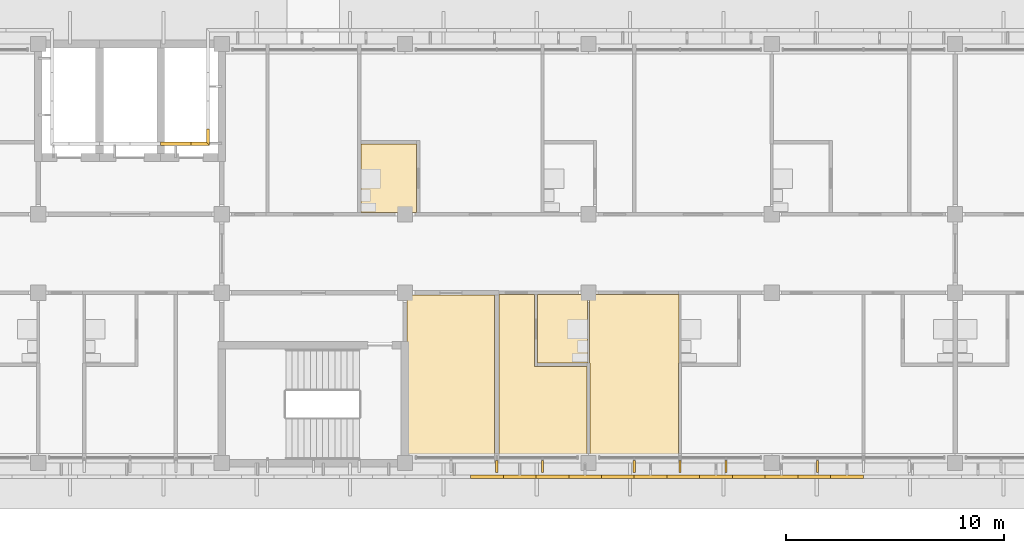
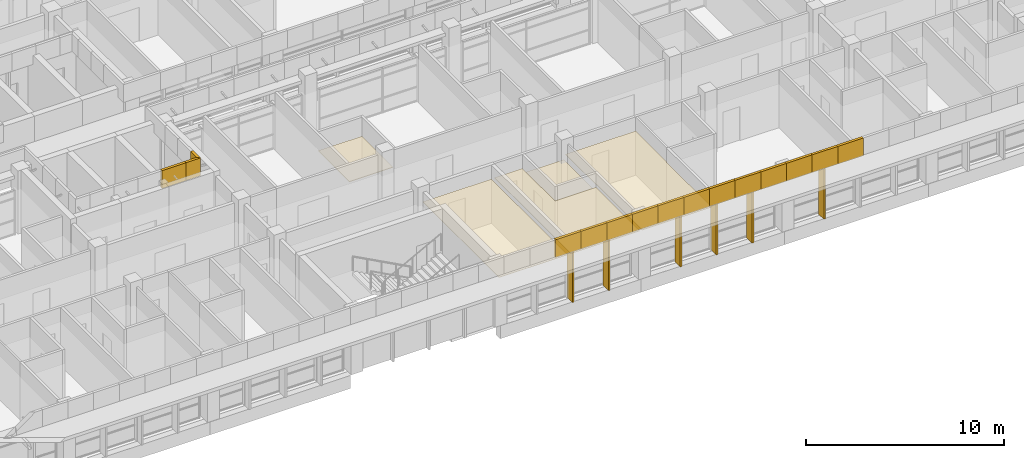
# One storey, part 61 of 71: 20 coverings, 6 shading devices.
"""IFC4 building model written with IfcOpenShell, lengths in metres."""

from ifc_helpers import new_model, si_unit, direction, frame, origin, origin_2d, place, context, subcontext, project, spatial, polyline, rectangle, outline, extrude, material, layer, layer_set, material_profile, profile_set, type_object, element, save


model = new_model("IFC4")

# Units and contexts
model_context = context("Model", 3, precision=1e-05, world=origin(), true_north=direction((0.0, 1.0)))
body_context = subcontext(model_context, "Body", "Model", "MODEL_VIEW")
ifc_project = project(units=[si_unit("LENGTHUNIT", "METRE"), si_unit("AREAUNIT", "SQUARE_METRE"), si_unit("VOLUMEUNIT", "CUBIC_METRE"), si_unit("PLANEANGLEUNIT", "RADIAN"), si_unit("MASSUNIT", "GRAM", prefix="KILO")], contexts=[model_context])

# Site, building, storey
site_placement = place(None, origin())
site = spatial("IfcSite", under=ifc_project, at=site_placement, CompositionType="ELEMENT")
building_placement = place(site_placement, origin())
building = spatial("IfcBuilding", under=site, at=building_placement, Name="Bougainvillea Quay General Hospital", CompositionType="ELEMENT")
storey_placement = place(building_placement, frame((0.0, 0.0, 24.89990234375)))
storey = spatial("IfcBuildingStorey", under=building, at=storey_placement, Name="L05", CompositionType="ELEMENT", Elevation=24.89990234375)

# Coverings
ifc_material_1 = material(Name="Powder-coated aluminium fascia, white", Category="aluminium")
ifc_layer_1 = layer(ifc_material_1, 0.14990234375)
ifc_layer_set_1 = layer_set([ifc_layer_1], Name="Powder-coated aluminium fascia, white")
covering_type_1 = type_object("IfcCoveringType", Name="Aluminium fascia band white 150x1100", PredefinedType="CLADDING", material=ifc_layer_set_1)
for number, where, z_axis, x_axis, name in (
    (1, (87.0, 117.050048828125, 3.35009765625), (0.0, 0.0, 1.0), (1.0, 0.0, 0.0), "Fascia band white e0 44"),
    (2, (88.5, 117.050048828125, 3.35009765625), (0.0, 0.0, 1.0), (1.0, 0.0, 0.0), "Fascia band white e0 45"),
    (3, (90.0, 117.050048828125, 3.35009765625), (0.0, 0.0, 1.0), (1.0, 0.0, 0.0), "Fascia band white e0 46"),
    (4, (91.5, 117.050048828125, 3.35009765625), (0.0, 0.0, 1.0), (1.0, 0.0, 0.0), "Fascia band white e0 47"),
    (5, (93.0, 117.050048828125, 3.35009765625), (0.0, 0.0, 1.0), (1.0, 0.0, 0.0), "Fascia band white e0 48"),
    (6, (94.5, 117.050048828125, 3.35009765625), (0.0, 0.0, 1.0), (1.0, 0.0, 0.0), "Fascia band white e0 49"),
    (7, (96.0, 117.050048828125, 3.35009765625), (0.0, 0.0, 1.0), (1.0, 0.0, 0.0), "Fascia band white e0 50"),
    (8, (97.5, 117.050048828125, 3.35009765625), (0.0, 0.0, 1.0), (1.0, 0.0, 0.0), "Fascia band white e0 51"),
    (9, (99.0, 117.050048828125, 3.35009765625), (0.0, 0.0, 1.0), (1.0, 0.0, 0.0), "Fascia band white e0 52"),
    (10, (100.5, 117.050048828125, 3.35009765625), (0.0, 0.0, 1.0), (1.0, 0.0, 0.0), "Fascia band white e0 53"),
    (11, (102.0, 117.050048828125, 3.35009765625), (0.0, 0.0, 1.0), (1.0, 0.0, 0.0), "Fascia band white e0 54"),
    (12, (103.5, 117.050048828125, 3.35009765625), (0.0, 0.0, 1.0), (1.0, 0.0, 0.0), "Fascia band white e0 55"),
):
    element("IfcCovering", number, at=place(storey_placement, frame(where, z_axis=z_axis, x_axis=x_axis)), inside=storey, type_object=covering_type_1, Name=name, PredefinedType="CLADDING", context=body_context, shape_type="SweptSolid", body=[
        extrude(outline(polyline([(0.0, 0.0), (1.5, 0.0), (1.5, -0.150146484375), (0.0, -0.150146484375), (0.0, 0.0)])), origin(), (0.0, 0.0, 1.0), 1.10009765625),
    ])
covering_1_placement = place(storey_placement, frame((75.050048828125, 132.89990234375, 3.35009765625), z_axis=(0.0, 0.0, 1.0), x_axis=(0.0, -1.0, 0.0)))
element("IfcCovering", 13, at=covering_1_placement, inside=storey, type_object=covering_type_1, Name="Fascia band white e0 185", PredefinedType="CLADDING", context=body_context, shape_type="SweptSolid", body=[
    extrude(outline(polyline([(0.0, 0.0), (0.75, 0.0), (0.599853515625, -0.150146484375), (0.0, -0.150146484375), (0.0, 0.0)])), origin(), (0.0, 0.0, 1.0), 1.10009765625),
])
covering_2_placement = place(storey_placement, frame((75.050048828125, 132.14990234375, 3.35009765625), z_axis=(0.0, 0.0, 1.0), x_axis=(-1.0, 0.0, 0.0)))
element("IfcCovering", 14, at=covering_2_placement, inside=storey, type_object=covering_type_1, Name="Fascia band white e0 186", PredefinedType="CLADDING", context=body_context, shape_type="SweptSolid", body=[
    extrude(outline(polyline([(0.0, 0.0), (0.85009765625, 0.0), (0.85009765625, -0.150146484375), (0.150146484375, -0.150146484375), (0.0, 0.0)])), origin(), (0.0, 0.0, 1.0), 1.10009765625),
])
covering_3_placement = place(storey_placement, frame((74.199951171875, 132.14990234375, 3.35009765625), z_axis=(0.0, 0.0, 1.0), x_axis=(-1.0, 0.0, 0.0)))
element("IfcCovering", 15, at=covering_3_placement, inside=storey, type_object=covering_type_1, Name="Fascia band white e0 187", PredefinedType="CLADDING", context=body_context, shape_type="SweptSolid", body=[
    extrude(outline(polyline([(0.0, 0.0), (1.39990234375, 0.0), (1.39990234375, -0.150146484375), (0.0, -0.150146484375), (0.0, 0.0)])), origin(), (0.0, 0.0, 1.0), 1.10009765625),
])
ifc_material_2 = material(Name="Mineral fibre ceiling tile")
ifc_layer_2 = layer(ifc_material_2, 0.030029296875)
ifc_layer_set_2 = layer_set([ifc_layer_2], Name="Mineral fibre ceiling tile")
covering_type_2 = type_object("IfcCoveringType", Name="Suspended ceiling mineral fibre tile", PredefinedType="CEILING", material=ifc_layer_set_2)
covering_4_placement = place(storey_placement, frame((0.0, 0.0, 2.7001953125)))
element("IfcCovering", 16, at=covering_4_placement, inside=storey, type_object=covering_type_2, Name="Ceiling Refuge Room RR-B2-L05", PredefinedType="CEILING", context=body_context, shape_type="SweptSolid", body=[
    extrude(outline(polyline([(88.10009765625, 117.60009765625), (88.10009765625, 125.300048828125), (84.10009765625, 125.300048828125), (84.10009765625, 117.60009765625), (88.10009765625, 117.60009765625)])), origin(), (0.0, 0.0, 1.0), 0.02978515625),
])
covering_5_placement = place(storey_placement, frame((0.0, 0.0, 2.400146484375)))
element("IfcCovering", 17, at=covering_5_placement, inside=storey, type_object=covering_type_2, Name="Ceiling En-suite 05B13", PredefinedType="CEILING", context=body_context, shape_type="SweptSolid", body=[
    extrude(outline(polyline([(81.97509765625, 132.22509765625), (81.97509765625, 129.074951171875), (84.52490234375, 129.074951171875), (84.52490234375, 132.22509765625), (81.97509765625, 132.22509765625)])), origin(), (0.0, 0.0, 1.0), 0.030029296875),
])
covering_6_placement = place(storey_placement, frame((0.0, 0.0, 2.7001953125)))
element("IfcCovering", 18, at=covering_6_placement, inside=storey, type_object=covering_type_2, Name="Ceiling Patient Room 05B18", PredefinedType="CEILING", context=body_context, shape_type="SweptSolid", body=[
    extrude(outline(polyline([(92.324951171875, 117.60009765625), (92.324951171875, 122.02490234375), (89.925048828125, 122.02490234375), (89.925048828125, 125.324951171875), (88.300048828125, 125.324951171875), (88.300048828125, 117.60009765625), (92.324951171875, 117.60009765625)])), origin(), (0.0, 0.0, 1.0), 0.02978515625),
])
covering_7_placement = place(storey_placement, frame((0.0, 0.0, 2.400146484375)))
element("IfcCovering", 19, at=covering_7_placement, inside=storey, type_object=covering_type_2, Name="Ceiling En-suite 05B18", PredefinedType="CEILING", context=body_context, shape_type="SweptSolid", body=[
    extrude(outline(polyline([(92.35009765625, 125.324951171875), (90.074951171875, 125.324951171875), (90.074951171875, 122.175048828125), (92.35009765625, 122.175048828125), (92.35009765625, 125.324951171875)])), origin(), (0.0, 0.0, 1.0), 0.030029296875),
])
covering_8_placement = place(storey_placement, frame((0.0, 0.0, 2.7001953125)))
element("IfcCovering", 20, at=covering_8_placement, inside=storey, type_object=covering_type_2, Name="Ceiling Treatment and Clean Utility Room 05B19", PredefinedType="CEILING", context=body_context, shape_type="SweptSolid", body=[
    extrude(outline(polyline([(96.52490234375, 117.60009765625), (96.52490234375, 122.175048828125), (96.550048828125, 122.175048828125), (96.550048828125, 125.324951171875), (92.449951171875, 125.324951171875), (92.449951171875, 122.175048828125), (92.47509765625, 122.175048828125), (92.47509765625, 117.60009765625), (96.52490234375, 117.60009765625)])), origin(), (0.0, 0.0, 1.0), 0.02978515625),
])

# Shading devices
ifc_material_3 = material(Name="Powder-coated aluminium fin, white", Category="aluminium")
ifc_material_profile = material_profile(ifc_material_3, rectangle(XDim=0.550048828125, YDim=0.10009765625, at=origin_2d()))
ifc_profile_set = profile_set([ifc_material_profile], Name="Powder-coated aluminium fin, white")
shading_device_type = type_object("IfcShadingDeviceType", Name="Vertical fin 550x100", PredefinedType="USERDEFINED", material=ifc_profile_set)
for number, where, z_axis, x_axis, name in (
    (21, (102.89990234375, 117.455078125, 0.0), (0.0, 0.0, 1.0), (0.0, -1.0, 0.0), "Vertical fin V5B L05 01.24"),
    (22, (98.699951171875, 117.455078125, 0.0), (0.0, 0.0, 1.0), (0.0, -1.0, 0.0), "Vertical fin V5B L05 01.25"),
    (23, (96.60009765625, 117.455078125, 0.0), (0.0, 0.0, 1.0), (0.0, -1.0, 0.0), "Vertical fin V5B L05 01.26"),
    (24, (94.5, 117.455078125, 0.0), (0.0, 0.0, 1.0), (0.0, -1.0, 0.0), "Vertical fin V5B L05 01.27"),
    (25, (90.300048828125, 117.455078125, 0.0), (0.0, 0.0, 1.0), (0.0, -1.0, 0.0), "Vertical fin V5B L05 01.28"),
    (26, (88.199951171875, 117.455078125, 0.0), (0.0, 0.0, 1.0), (0.0, -1.0, 0.0), "Vertical fin V5B L05 01.29"),
):
    element("IfcShadingDevice", number, at=place(storey_placement, frame(where, z_axis=z_axis, x_axis=x_axis)), inside=storey, type_object=shading_device_type, Name=name, ObjectType="Vertical fin", PredefinedType="USERDEFINED", context=body_context, shape_type="SweptSolid", body=[
        extrude(rectangle(XDim=0.550048828125, YDim=0.10009765625, at=origin_2d()), origin(), (0.0, 0.0, 1.0), 3.330078125),
    ])

save(model, "model.ifc")
